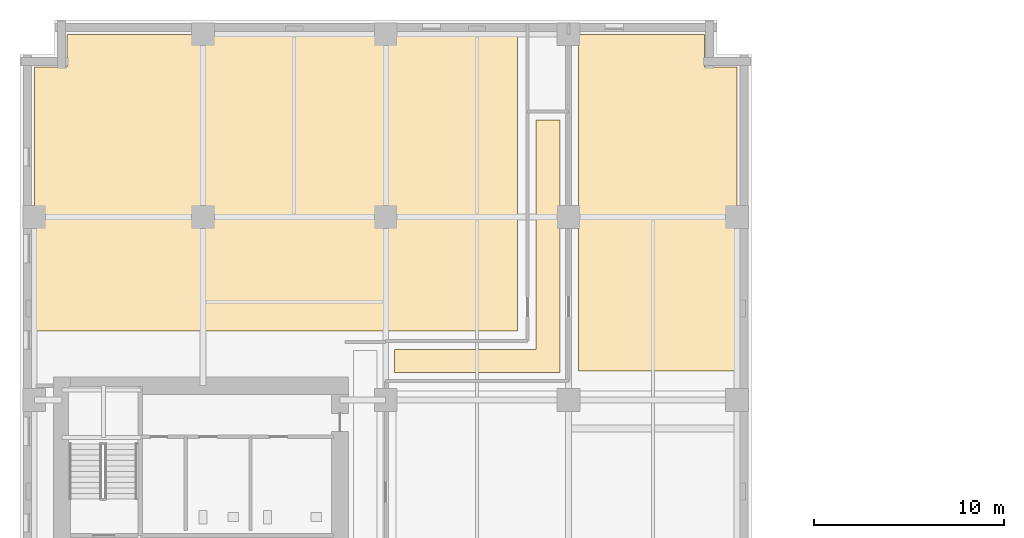
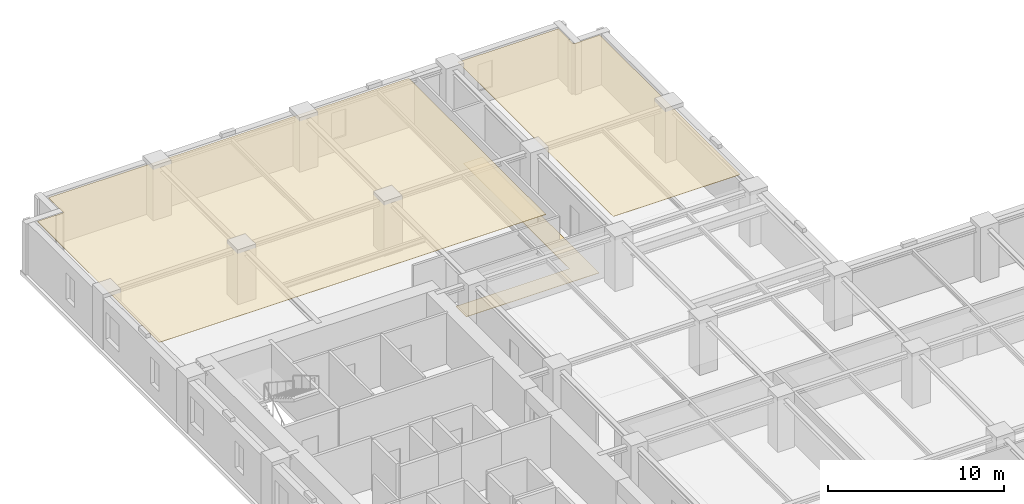
# One storey, part 12 of 13: 3 coverings.
"""IFC4 building model written with IfcOpenShell, lengths in metres."""

from ifc_helpers import new_model, si_unit, direction, frame, origin, place, context, subcontext, project, spatial, polyline, outline, extrude, material, layer, layer_set, type_object, element, save


model = new_model("IFC4")

# Units and contexts
model_context = context("Model", 3, precision=1e-05, world=origin(), true_north=direction((0.0, 1.0)))
body_context = subcontext(model_context, "Body", "Model", "MODEL_VIEW")
ifc_project = project(units=[si_unit("LENGTHUNIT", "METRE"), si_unit("AREAUNIT", "SQUARE_METRE"), si_unit("VOLUMEUNIT", "CUBIC_METRE"), si_unit("PLANEANGLEUNIT", "RADIAN"), si_unit("MASSUNIT", "GRAM", prefix="KILO")], contexts=[model_context])

# Site, building, storey
site_placement = place(None, origin())
site = spatial("IfcSite", under=ifc_project, at=site_placement, CompositionType="ELEMENT")
building_placement = place(site_placement, origin())
building = spatial("IfcBuilding", under=site, at=building_placement, Name="Norrvale University Quadrangle", CompositionType="ELEMENT")
storey_placement = place(building_placement, frame((0.0, 0.0, 54.60009765625)))
storey = spatial("IfcBuildingStorey", under=building, at=storey_placement, Name="L13", CompositionType="ELEMENT", Elevation=54.60009765625)

# Coverings
ifc_material_1 = material(Name="Perforated Acoustic Mineral Ceiling")
ifc_layer_1 = layer(ifc_material_1, 0.02490234375, Name="Perforated Acoustic Mineral Ceiling")
ifc_layer_set_1 = layer_set([ifc_layer_1], Name="Perforated Acoustic Mineral Ceiling")
covering_type_1 = type_object("IfcCoveringType", Name="Covering Acoustic Ceiling 25", PredefinedType="CEILING", material=ifc_layer_set_1)
covering_1_placement = place(storey_placement, frame((0.0, 0.0, 3.514892578125)))
element("IfcCovering", 1, at=covering_1_placement, inside=storey, type_object=covering_type_1, Name="Acoustic Ceiling RM-L13-NE01", PredefinedType="CEILING", context=body_context, shape_type="SweptSolid", body=[
    extrude(outline(polyline([(37.64990234375, 48.780029296875), (29.330078125, 48.780029296875), (29.330078125, 66.449951171875), (35.929931640625, 66.449951171875), (35.929931640625, 64.72998046875), (37.64990234375, 64.72998046875), (37.64990234375, 48.780029296875)])), origin(), (0.0, 0.0, 1.0), 0.02490234375),
])
covering_2_placement = place(storey_placement, frame((0.0, 0.0, 3.514892578125)))
element("IfcCovering", 2, at=covering_2_placement, inside=storey, type_object=covering_type_1, Name="Acoustic Ceiling RM-L13-NW01", PredefinedType="CEILING", context=body_context, shape_type="SweptSolid", body=[
    extrude(outline(polyline([(26.1201171875, 66.449951171875), (26.1201171875, 50.8798828125), (0.75, 50.8798828125), (0.75, 64.72998046875), (2.469970703125, 64.72998046875), (2.469970703125, 66.449951171875), (26.1201171875, 66.449951171875)])), origin(), (0.0, 0.0, 1.0), 0.02490234375),
])
ifc_material_2 = material(Name="Polished Terrazzo Flooring")
ifc_layer_2 = layer(ifc_material_2, 0.02490234375, Name="Polished Terrazzo Flooring")
ifc_layer_set_2 = layer_set([ifc_layer_2], Name="Polished Terrazzo Flooring")
covering_type_2 = type_object("IfcCoveringType", Name="Covering Terrazzo Floor 30", PredefinedType="FLOORING", material=ifc_layer_set_2)
covering_3_placement = place(storey_placement, origin())
element("IfcCovering", 3, at=covering_3_placement, inside=storey, type_object=covering_type_2, Name="Terrazzo Flooring RM-L13-NCJOG", PredefinedType="FLOORING", context=body_context, shape_type="SweptSolid", body=[
    extrude(outline(polyline([(19.64990234375, 48.699951171875), (19.64990234375, 49.89990234375), (27.10009765625, 49.89990234375), (27.10009765625, 61.949951171875), (28.35009765625, 61.949951171875), (28.35009765625, 48.699951171875), (19.64990234375, 48.699951171875)])), origin(), (0.0, 0.0, 1.0), 0.02490234375),
])

save(model, "model.ifc")
